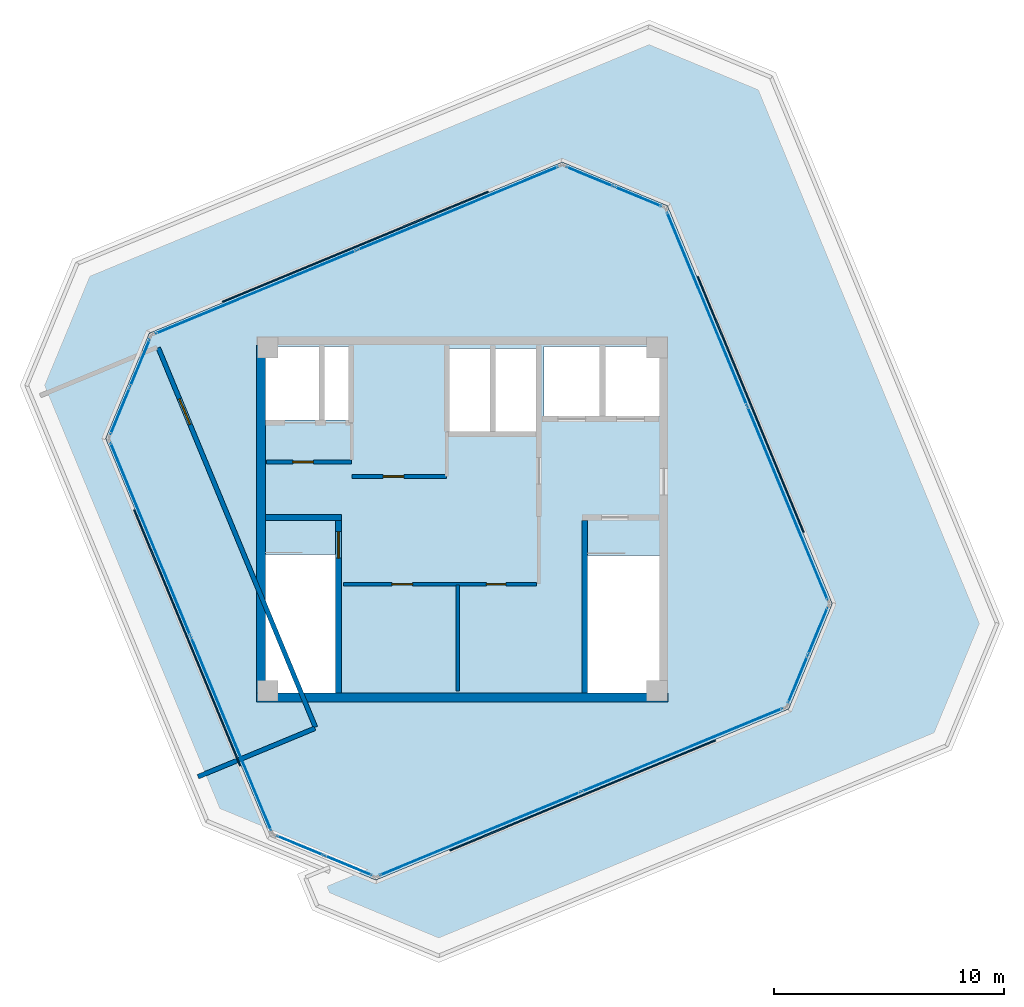
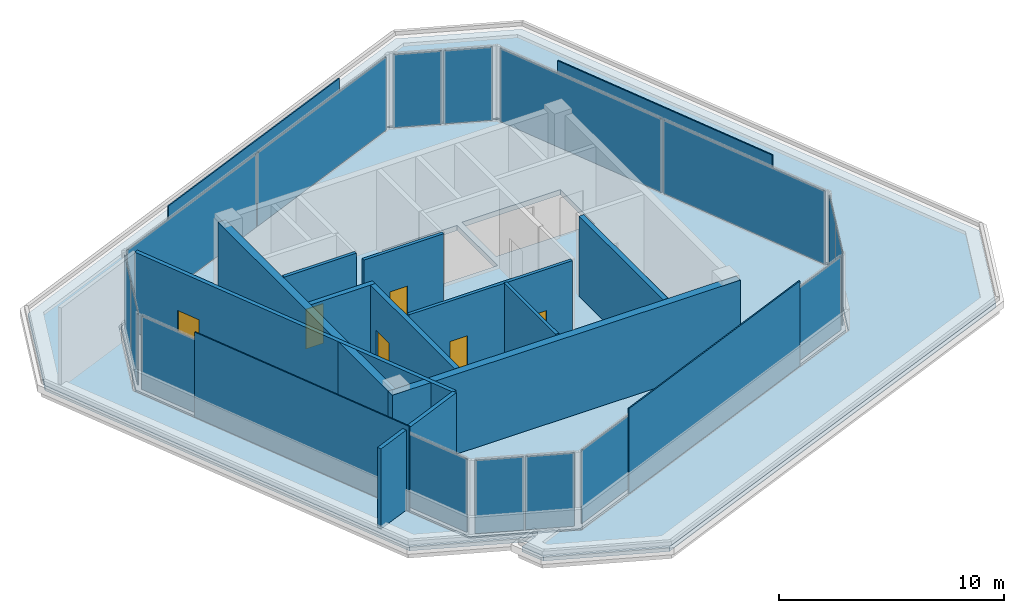
# One storey, part 9 of 11: 20 plates, 11 walls, 6 doors, 2 slabs, 6 openings, 8 elements without a shape of their own.
"""IFC4 building model written with IfcOpenShell, lengths in metres."""

from ifc_helpers import new_model, si_unit, direction, frame, frame_2d, origin, origin_2d, place, context, subcontext, project, spatial, polyline, rectangle, outline, extrude, source, transform, mapped, material, layer, layer_set, type_object, element, fill, aggregate, save


model = new_model("IFC4")

# Units and contexts
model_context = context("Model", 3, precision=1e-05, world=origin(), true_north=direction((0.0, 1.0)))
body_context = subcontext(model_context, "Body", "Model", "MODEL_VIEW")
ifc_project = project(units=[si_unit("LENGTHUNIT", "METRE"), si_unit("AREAUNIT", "SQUARE_METRE"), si_unit("VOLUMEUNIT", "CUBIC_METRE"), si_unit("PLANEANGLEUNIT", "RADIAN"), si_unit("MASSUNIT", "GRAM", prefix="KILO")], contexts=[model_context])

# Site, building, storey
site_placement = place(None, origin())
site = spatial("IfcSite", under=ifc_project, at=site_placement, CompositionType="ELEMENT")
building_placement = place(site_placement, origin())
building = spatial("IfcBuilding", under=site, at=building_placement, Name="Torre Montelarca", CompositionType="ELEMENT")
storey_placement = place(building_placement, frame((0.0, 0.0, 366.0)))
storey = spatial("IfcBuildingStorey", under=building, at=storey_placement, Name="L82", CompositionType="ELEMENT", Elevation=366.0)

# Slabs
ifc_material_1 = material(Name="Concrete C40/50", Category="concrete")
ifc_layer_1 = layer(ifc_material_1, 0.280029296875, Name="Concrete C40/50", Category="concrete")
ifc_layer_set_1 = layer_set([ifc_layer_1], Name="Concrete C40/50")
slab_type_1 = type_object("IfcSlabType", Name="SL-FLR-280", PredefinedType="FLOOR", material=ifc_layer_set_1)
slab_1_placement = place(storey_placement, frame((0.0, 0.0, -0.280029296875)))
element("IfcSlab", 1, at=slab_1_placement, inside=storey, type_object=slab_type_1, Name="L82 Structural Floor Slab", PredefinedType="FLOOR", context=body_context, shape_type="SweptSolid", body=[
    extrude(outline(polyline([(9.671142578125, 18.224609375), (14.244140625, 16.33056640625), (32.16748046875, 23.754638671875), (34.0615234375, 28.32763671875), (26.905517578125, 45.60400390625), (22.33251953125, 47.498291015625), (4.4091796875, 40.07421875), (2.514892578125, 35.501220703125), (9.671142578125, 18.224609375)]), holes=[polyline([(26.550048828125, 24.449951171875), (23.43994140625, 24.449951171875), (23.43994140625, 30.429931640625), (26.550048828125, 30.429931640625), (26.550048828125, 24.449951171875)]), polyline([(12.5, 24.449951171875), (9.449951171875, 24.449951171875), (9.449951171875, 30.4599609375), (12.5, 30.4599609375), (12.5, 24.449951171875)]), polyline([(21.25, 39.39990234375), (21.25, 35.800048828125), (17.39990234375, 35.800048828125), (17.39990234375, 39.39990234375), (21.25, 39.39990234375)]), polyline([(13.1201171875, 36.300048828125), (9.449951171875, 36.300048828125), (9.449951171875, 39.5), (13.1201171875, 39.5), (13.1201171875, 36.300048828125)]), polyline([(26.60009765625, 36.449951171875), (21.550048828125, 36.449951171875), (21.550048828125, 39.5), (26.60009765625, 39.5), (26.60009765625, 36.449951171875)])]), origin(), (0.0, 0.0, 1.0), 0.280029296875),
])
ifc_layer_2 = layer(ifc_material_1, 0.260009765625, Name="Concrete C40/50", Category="concrete")
ifc_layer_set_2 = layer_set([ifc_layer_2], Name="Concrete C40/50")
slab_type_2 = type_object("IfcSlabType", Name="SL-ROOF-260", PredefinedType="ROOF", material=ifc_layer_set_2)
slab_2_placement = place(storey_placement, frame((0.0, 0.0, -0.260009765625)))
element("IfcSlab", 2, at=slab_2_placement, inside=storey, type_object=slab_type_2, Name="L82 Observation Deck Wrapping Canopy Roof Slab 01", PredefinedType="ROOF", context=body_context, shape_type="SweptSolid", body=[
    extrude(outline(polyline([(-0.818603515625, 37.800537109375), (6.988037109375, 18.953369140625), (12.21435546875, 16.78857421875), (11.290283203125, 16.406005859375), (11.749755859375, 15.29736328125), (16.975830078125, 13.132568359375), (38.964111328125, 22.240478515625), (41.12890625, 27.466552734375), (31.332275390625, 51.117919921875), (26.106201171875, 53.28271484375), (1.34619140625, 43.02685546875), (-0.818603515625, 37.800537109375)]), holes=[polyline([(2.40673828125, 35.501220703125), (9.5947265625, 18.148193359375), (14.244140625, 16.222412109375), (32.243896484375, 23.677978515625), (34.169921875, 28.32763671875), (26.98193359375, 45.6806640625), (22.33251953125, 47.6064453125), (4.332763671875, 40.150634765625), (2.40673828125, 35.501220703125)])]), origin(), (0.0, 0.0, 1.0), 0.260009765625),
])

# Curtain wall, plates
ifc_material_2 = material(Name="Amber translucent laminated glass", Category="glass")
curtain_wall_type = type_object("IfcCurtainWallType", Name="CW-SYS-LANT", PredefinedType="USERDEFINED", material=ifc_material_2)
curtain_wall_1_placement = place(storey_placement, origin())
curtain_wall_1 = element("IfcCurtainWall", 3, at=curtain_wall_1_placement, inside=storey, type_object=curtain_wall_type, Name="L82 Curtain Wall Run CW-T3-L82-E01-B1", ObjectType="TRANSLUCENT LANTERN", PredefinedType="USERDEFINED")
ifc_layer_3 = layer(ifc_material_2, 0.0400390625, Name="Amber translucent laminated glass", Category="glass")
ifc_layer_set_3 = layer_set([ifc_layer_3], Name="Amber translucent laminated glass")
plate_type_1 = type_object("IfcPlateType", Name="CWP-LANT-40", PredefinedType="CURTAIN_PANEL", material=ifc_layer_set_3)
shared_shape_1 = source(origin(), body_context, "Body", "SweptSolid", [
    extrude(rectangle(XDim=9.064208984375, YDim=0.0400390625, at=origin_2d()), origin(), (0.0, 0.0, 1.0), 3.969970703125),
])
plate_1_placement = place(storey_placement, frame((4.463623046875, 31.13671875, 0.0751953125), z_axis=(0.0, 0.0, 1.0), x_axis=(0.382681314557, -0.923880409733, 0.0)))
plate_1 = element("IfcPlate", 4, at=plate_1_placement, type_object=plate_type_1, Name="CW panel 1.1", PredefinedType="CURTAIN_PANEL", context=body_context, shape_type="MappedRepresentation", body=[
    mapped(shared_shape_1, transform((0.0, 0.0, 0.0), scale=1.0)),
])
plate_2_placement = place(storey_placement, frame((7.962890625, 22.688720703125, 0.0751953125), z_axis=(0.0, 0.0, 1.0), x_axis=(0.382681314557, -0.923880409733, 0.0)))
plate_2 = element("IfcPlate", 5, at=plate_2_placement, type_object=plate_type_1, Name="CW panel 2.1", PredefinedType="CURTAIN_PANEL", context=body_context, shape_type="MappedRepresentation", body=[
    mapped(shared_shape_1, transform((0.0, 0.0, 0.0), scale=1.0)),
])
aggregate(curtain_wall_1, [plate_1, plate_2])

curtain_wall_2_placement = place(storey_placement, origin())
curtain_wall_2 = element("IfcCurtainWall", 6, at=curtain_wall_2_placement, inside=storey, type_object=curtain_wall_type, Name="L82 Curtain Wall Run CW-T3-L82-E05-B1", ObjectType="TRANSLUCENT LANTERN", PredefinedType="USERDEFINED")
plate_3_placement = place(storey_placement, frame((32.113037109375, 32.692138671875, 0.0751953125), z_axis=(0.0, 0.0, 1.0), x_axis=(-0.382683239352, 0.92387961246, 0.0)))
plate_3 = element("IfcPlate", 7, at=plate_3_placement, type_object=plate_type_1, Name="CW panel 1.1", PredefinedType="CURTAIN_PANEL", context=body_context, shape_type="MappedRepresentation", body=[
    mapped(shared_shape_1, transform((0.0, 0.0, 0.0), scale=1.0)),
])
plate_4_placement = place(storey_placement, frame((28.61376953125, 41.14013671875, 0.0751953125), z_axis=(0.0, 0.0, 1.0), x_axis=(-0.382683239352, 0.92387961246, 0.0)))
plate_4 = element("IfcPlate", 8, at=plate_4_placement, type_object=plate_type_1, Name="CW panel 2.1", PredefinedType="CURTAIN_PANEL", context=body_context, shape_type="MappedRepresentation", body=[
    mapped(shared_shape_1, transform((0.0, 0.0, 0.0), scale=1.0)),
])
aggregate(curtain_wall_2, [plate_3, plate_4])

# Plates
ifc_material_3 = material(Name="Architectural perforated terracotta ceramic", Category="masonry")
ifc_layer_4 = layer(ifc_material_3, 0.06005859375, Name="Architectural perforated terracotta ceramic", Category="masonry")
ifc_layer_set_4 = layer_set([ifc_layer_4], Name="Architectural perforated terracotta ceramic")
plate_type_2 = type_object("IfcPlateType", Name="SCR-CER-60", PredefinedType="USERDEFINED", material=ifc_layer_set_4)
shared_shape_2 = source(origin(), body_context, "Body", "SweptSolid", [
    extrude(rectangle(XDim=12.02490234375, YDim=0.06005859375, at=origin_2d()), origin(), (0.0, 0.0, 1.0), 4.60009765625),
])
for number, where, z_axis, x_axis, name in (
    (9, (6.05615234375, 26.84765625, 0.0), (0.0, 0.0, 1.0), (0.382683432365, -0.923879532511, 0.0), "L82 Crown Perforated Ceramic Solar Screen 1-1"),
    (10, (30.5205078125, 36.981201171875, 0.0), (0.0, 0.0, 1.0), (-0.382685044838, 0.923878864601, 0.0), "L82 Crown Perforated Ceramic Solar Screen 5-1"),
):
    element("IfcPlate", number, at=place(storey_placement, frame(where, z_axis=z_axis, x_axis=x_axis)), inside=storey, type_object=plate_type_2, Name=name, ObjectType="SOLAR SCREEN", PredefinedType="USERDEFINED", context=body_context, shape_type="MappedRepresentation", body=[
        mapped(shared_shape_2, transform((0.0, 0.0, 0.0), scale=1.0)),
    ])

# Curtain wall, plates
curtain_wall_3_placement = place(storey_placement, origin())
curtain_wall_3 = element("IfcCurtainWall", 11, at=curtain_wall_3_placement, inside=storey, type_object=curtain_wall_type, Name="L82 Curtain Wall Run CW-T3-L82-E02-B1", ObjectType="TRANSLUCENT LANTERN", PredefinedType="USERDEFINED")
shared_shape_3 = source(origin(), body_context, "Body", "SweptSolid", [
    extrude(rectangle(XDim=2.18896484375, YDim=0.0400390625, at=origin_2d()), origin(), (0.0, 0.0, 1.0), 3.969970703125),
])
plate_5_placement = place(storey_placement, frame((10.959228515625, 17.831787109375, 0.0751953125), z_axis=(0.0, 0.0, 1.0), x_axis=(0.923879589357, -0.382683295127, 0.0)))
plate_5 = element("IfcPlate", 12, at=plate_5_placement, type_object=plate_type_1, Name="CW panel 1.1", PredefinedType="CURTAIN_PANEL", context=body_context, shape_type="MappedRepresentation", body=[
    mapped(shared_shape_3, transform((0.0, 0.0, 0.0), scale=1.0)),
])
plate_6_placement = place(storey_placement, frame((13.055419921875, 16.963623046875, 0.0751953125), z_axis=(0.0, 0.0, 1.0), x_axis=(0.923879589357, -0.382683295127, 0.0)))
plate_6 = element("IfcPlate", 13, at=plate_6_placement, type_object=plate_type_1, Name="CW panel 2.1", PredefinedType="CURTAIN_PANEL", context=body_context, shape_type="MappedRepresentation", body=[
    mapped(shared_shape_3, transform((0.0, 0.0, 0.0), scale=1.0)),
])
aggregate(curtain_wall_3, [plate_5, plate_6])

curtain_wall_4_placement = place(storey_placement, origin())
curtain_wall_4 = element("IfcCurtainWall", 14, at=curtain_wall_4_placement, inside=storey, type_object=curtain_wall_type, Name="L82 Curtain Wall Run CW-T3-L82-E04-B1", ObjectType="TRANSLUCENT LANTERN", PredefinedType="USERDEFINED")
plate_7_placement = place(storey_placement, frame((32.560302734375, 25.042724609375, 0.0751953125), z_axis=(0.0, 0.0, 1.0), x_axis=(0.382675639152, 0.923882760527, 0.0)))
plate_7 = element("IfcPlate", 15, at=plate_7_placement, type_object=plate_type_1, Name="CW panel 1.1", PredefinedType="CURTAIN_PANEL", context=body_context, shape_type="MappedRepresentation", body=[
    mapped(shared_shape_3, transform((0.0, 0.0, 0.0), scale=1.0)),
])
plate_8_placement = place(storey_placement, frame((33.428466796875, 27.138916015625, 0.0751953125), z_axis=(0.0, 0.0, 1.0), x_axis=(0.382675639152, 0.923882760527, 0.0)))
plate_8 = element("IfcPlate", 16, at=plate_8_placement, type_object=plate_type_1, Name="CW panel 2.1", PredefinedType="CURTAIN_PANEL", context=body_context, shape_type="MappedRepresentation", body=[
    mapped(shared_shape_3, transform((0.0, 0.0, 0.0), scale=1.0)),
])
aggregate(curtain_wall_4, [plate_7, plate_8])

curtain_wall_5_placement = place(storey_placement, origin())
curtain_wall_5 = element("IfcCurtainWall", 17, at=curtain_wall_5_placement, inside=storey, type_object=curtain_wall_type, Name="L82 Curtain Wall Run CW-T3-L82-E06-B1", ObjectType="TRANSLUCENT LANTERN", PredefinedType="USERDEFINED")
plate_9_placement = place(storey_placement, frame((25.6171875, 45.9970703125, 0.0751953125), z_axis=(0.0, 0.0, 1.0), x_axis=(-0.923882760527, 0.382675639152, 0.0)))
plate_9 = element("IfcPlate", 18, at=plate_9_placement, type_object=plate_type_1, Name="CW panel 1.1", PredefinedType="CURTAIN_PANEL", context=body_context, shape_type="MappedRepresentation", body=[
    mapped(shared_shape_3, transform((0.0, 0.0, 0.0), scale=1.0)),
])
plate_10_placement = place(storey_placement, frame((23.52099609375, 46.865234375, 0.0751953125), z_axis=(0.0, 0.0, 1.0), x_axis=(-0.923882760527, 0.382675639152, 0.0)))
plate_10 = element("IfcPlate", 19, at=plate_10_placement, type_object=plate_type_1, Name="CW panel 2.1", PredefinedType="CURTAIN_PANEL", context=body_context, shape_type="MappedRepresentation", body=[
    mapped(shared_shape_3, transform((0.0, 0.0, 0.0), scale=1.0)),
])
aggregate(curtain_wall_5, [plate_9, plate_10])

curtain_wall_6_placement = place(storey_placement, origin())
curtain_wall_6 = element("IfcCurtainWall", 20, at=curtain_wall_6_placement, inside=storey, type_object=curtain_wall_type, Name="L82 Curtain Wall Run CW-T3-L82-E08-B1", ObjectType="TRANSLUCENT LANTERN", PredefinedType="USERDEFINED")
plate_11_placement = place(storey_placement, frame((4.016357421875, 38.7861328125, 0.0751953125), z_axis=(0.0, 0.0, 1.0), x_axis=(-0.382683295127, -0.923879589357, 0.0)))
plate_11 = element("IfcPlate", 21, at=plate_11_placement, type_object=plate_type_1, Name="CW panel 1.1", PredefinedType="CURTAIN_PANEL", context=body_context, shape_type="MappedRepresentation", body=[
    mapped(shared_shape_3, transform((0.0, 0.0, 0.0), scale=1.0)),
])
plate_12_placement = place(storey_placement, frame((3.14794921875, 36.68994140625, 0.0751953125), z_axis=(0.0, 0.0, 1.0), x_axis=(-0.382683295127, -0.923879589357, 0.0)))
plate_12 = element("IfcPlate", 22, at=plate_12_placement, type_object=plate_type_1, Name="CW panel 2.1", PredefinedType="CURTAIN_PANEL", context=body_context, shape_type="MappedRepresentation", body=[
    mapped(shared_shape_3, transform((0.0, 0.0, 0.0), scale=1.0)),
])
aggregate(curtain_wall_6, [plate_11, plate_12])

curtain_wall_7_placement = place(storey_placement, origin())
curtain_wall_7 = element("IfcCurtainWall", 23, at=curtain_wall_7_placement, inside=storey, type_object=curtain_wall_type, Name="L82 Curtain Wall Run CW-T3-L82-E03-B1", ObjectType="TRANSLUCENT LANTERN", PredefinedType="USERDEFINED")
shared_shape_4 = source(origin(), body_context, "Body", "SweptSolid", [
    extrude(rectangle(XDim=9.4140625, YDim=0.0400390625, at=origin_2d()), origin(), (0.0, 0.0, 1.0), 3.969970703125),
])
plate_13_placement = place(storey_placement, frame((18.770263671875, 18.345947265625, 0.0751953125), z_axis=(0.0, 0.0, 1.0), x_axis=(0.92387985672, 0.382682649654, 0.0)))
plate_13 = element("IfcPlate", 24, at=plate_13_placement, type_object=plate_type_1, Name="CW panel 1.1", PredefinedType="CURTAIN_PANEL", context=body_context, shape_type="MappedRepresentation", body=[
    mapped(shared_shape_4, transform((0.0, 0.0, 0.0), scale=1.0)),
])
plate_14_placement = place(storey_placement, frame((27.541748046875, 21.979248046875, 0.0751953125), z_axis=(0.0, 0.0, 1.0), x_axis=(0.92387985672, 0.382682649654, 0.0)))
plate_14 = element("IfcPlate", 25, at=plate_14_placement, type_object=plate_type_1, Name="CW panel 2.1", PredefinedType="CURTAIN_PANEL", context=body_context, shape_type="MappedRepresentation", body=[
    mapped(shared_shape_4, transform((0.0, 0.0, 0.0), scale=1.0)),
])
aggregate(curtain_wall_7, [plate_13, plate_14])

curtain_wall_8_placement = place(storey_placement, origin())
curtain_wall_8 = element("IfcCurtainWall", 26, at=curtain_wall_8_placement, inside=storey, type_object=curtain_wall_type, Name="L82 Curtain Wall Run CW-T3-L82-E07-B1", ObjectType="TRANSLUCENT LANTERN", PredefinedType="USERDEFINED")
plate_15_placement = place(storey_placement, frame((17.80615234375, 45.482666015625, 0.0751953125), z_axis=(0.0, 0.0, 1.0), x_axis=(-0.923879088705, -0.382684503805, 0.0)))
plate_15 = element("IfcPlate", 27, at=plate_15_placement, type_object=plate_type_1, Name="CW panel 1.1", PredefinedType="CURTAIN_PANEL", context=body_context, shape_type="MappedRepresentation", body=[
    mapped(shared_shape_4, transform((0.0, 0.0, 0.0), scale=1.0)),
])
plate_16_placement = place(storey_placement, frame((9.034912109375, 41.849609375, 0.0751953125), z_axis=(0.0, 0.0, 1.0), x_axis=(-0.923879088705, -0.382684503805, 0.0)))
plate_16 = element("IfcPlate", 28, at=plate_16_placement, type_object=plate_type_1, Name="CW panel 2.1", PredefinedType="CURTAIN_PANEL", context=body_context, shape_type="MappedRepresentation", body=[
    mapped(shared_shape_4, transform((0.0, 0.0, 0.0), scale=1.0)),
])
aggregate(curtain_wall_8, [plate_15, plate_16])

# Plates
shared_shape_5 = source(origin(), body_context, "Body", "SweptSolid", [
    extrude(rectangle(XDim=12.47998046875, YDim=0.06005859375, at=origin_2d()), origin(), (0.0, 0.0, 1.0), 4.60009765625),
])
for number, where, z_axis, x_axis, name in (
    (29, (23.220947265625, 20.005615234375, 0.0), (0.0, 0.0, 1.0), (0.923878864601, 0.382685044838, 0.0), "L82 Crown Perforated Ceramic Solar Screen 3-1"),
    (30, (13.35546875, 43.8232421875, 0.0), (0.0, 0.0, 1.0), (-0.923878196688, -0.382686657311, 0.0), "L82 Crown Perforated Ceramic Solar Screen 7-1"),
):
    element("IfcPlate", number, at=place(storey_placement, frame(where, z_axis=z_axis, x_axis=x_axis)), inside=storey, type_object=plate_type_2, Name=name, ObjectType="SOLAR SCREEN", PredefinedType="USERDEFINED", context=body_context, shape_type="MappedRepresentation", body=[
        mapped(shared_shape_5, transform((0.0, 0.0, 0.0), scale=1.0)),
    ])

# Wall, opening, door
ifc_layer_5 = layer(ifc_material_1, 0.25, Name="Concrete C40/50", Category="concrete")
ifc_layer_set_5 = layer_set([ifc_layer_5], Name="Concrete C40/50")
wall_type_1 = type_object("IfcWallType", Name="CW-SHAFT-250", PredefinedType="SHEAR", material=ifc_layer_set_5)
wall_1_placement = place(storey_placement, frame((12.625, 24.4599609375, 0.0), z_axis=(0.0, 0.0, 1.0), x_axis=(0.0, 1.0, 0.0)))
wall_1 = element("IfcWall", 31, at=wall_1_placement, inside=storey, type_object=wall_type_1, Name="L82 Core Shear Wall SH-ST1-E", PredefinedType="SHEAR", context=body_context, shape_type="SweptSolid", body=[
    extrude(rectangle(XDim=7.489990234375, YDim=0.25, at=frame_2d((3.7451171875, 0.0))), origin(), (0.0, 0.0, 1.0), 4.340087890625),
])
opening_1_placement = place(wall_1_placement, frame((5.85009765625, 0.0, 0.0)))
opening_1 = element("IfcOpeningElement", 32, at=opening_1_placement, cuts=wall_1, Name="Opening FD-ST1", PredefinedType="OPENING", context=body_context, shape_type="SweptSolid", body=[
    extrude(rectangle(XDim=1.14990234375, YDim=2.199951171875, at=frame_2d((0.574951171875, 1.10009765625))), frame((0.0, 0.135009765625, 0.0), z_axis=(0.0, -1.0, 0.0), x_axis=(1.0, 0.0, 0.0)), (0.0, 0.0, 1.0), 0.27001953125),
])
ifc_material_4 = material(Name="Galvanized steel fire door", Category="steel")
door_type_1 = type_object("IfcDoorType", Name="DR-STAIR-115", OperationType="NOTDEFINED", PredefinedType="DOOR", material=ifc_material_4)
shared_shape_6 = source(origin(), body_context, "Body", "SweptSolid", [
    extrude(rectangle(XDim=1.14990234375, YDim=2.199951171875, at=frame_2d((0.574951171875, 1.10009765625))), frame((0.0, 0.02490234375, 0.0), z_axis=(0.0, -1.0, 0.0), x_axis=(1.0, 0.0, 0.0)), (0.0, 0.0, 1.0), 0.050048828125),
])
door_1_placement = place(opening_1_placement, origin())
door_1 = element("IfcDoor", 33, at=door_1_placement, inside=storey, type_object=door_type_1, Name="L82 Exit Stair ST1 Fire Door", OperationType="SINGLE_SWING_RIGHT", OverallHeight=2.199951171875, OverallWidth=1.14990234375, PredefinedType="DOOR", context=body_context, shape_type="MappedRepresentation", body=[
    mapped(shared_shape_6, transform((0.0, 0.0, 0.0), scale=1.0)),
])
fill(opening_1, door_1)

# Walls
wall_2_placement = place(storey_placement, frame((9.4599609375, 32.074951171875, 0.0), z_axis=(0.0, 0.0, 1.0), x_axis=(1.0, 0.0, 0.0)))
element("IfcWall", 34, at=wall_2_placement, inside=storey, type_object=wall_type_1, Name="L82 Core Shear Wall SH-ST1-N", PredefinedType="SHEAR", context=body_context, shape_type="SweptSolid", body=[
    extrude(rectangle(XDim=3.2900390625, YDim=0.25, at=frame_2d((1.64501953125, 0.0))), origin(), (0.0, 0.0, 1.0), 4.340087890625),
])
wall_3_placement = place(storey_placement, frame((23.31494140625, 24.4599609375, 0.0), z_axis=(0.0, 0.0, 1.0), x_axis=(0.0, 1.0, 0.0)))
element("IfcWall", 35, at=wall_3_placement, inside=storey, type_object=wall_type_1, Name="L82 Core Shear Wall SH-ST2-W", PredefinedType="SHEAR", context=body_context, shape_type="SweptSolid", body=[
    extrude(rectangle(XDim=7.489990234375, YDim=0.25, at=frame_2d((3.7451171875, 0.0))), origin(), (0.0, 0.0, 1.0), 4.340087890625),
])
ifc_layer_6 = layer(ifc_material_1, 0.3798828125, Name="Concrete C40/50", Category="concrete")
ifc_layer_set_6 = layer_set([ifc_layer_6], Name="Concrete C40/50")
wall_type_2 = type_object("IfcWallType", Name="CW-SHEAR-380", PredefinedType="SHEAR", material=ifc_layer_set_6)
wall_4_placement = place(storey_placement, frame((9.260009765625, 24.449951171875, 0.0), z_axis=(0.0, 0.0, 1.0), x_axis=(0.0, 1.0, 0.0)))
element("IfcWall", 36, at=wall_4_placement, inside=storey, type_object=wall_type_2, Name="L82 Core Shear Wall CW-W", PredefinedType="SHEAR", context=body_context, shape_type="SweptSolid", body=[
    extrude(rectangle(XDim=15.10009765625, YDim=0.3798828125, at=frame_2d((7.550048828125, 0.0))), origin(), (0.0, 0.0, 1.0), 4.340087890625),
])
wall_5_placement = place(storey_placement, frame((9.070068359375, 24.260009765625, 0.0), z_axis=(0.0, 0.0, 1.0), x_axis=(1.0, 0.0, 0.0)))
element("IfcWall", 37, at=wall_5_placement, inside=storey, type_object=wall_type_2, Name="L82 Core Shear Wall CW-S1", PredefinedType="SHEAR", context=body_context, shape_type="SweptSolid", body=[
    extrude(rectangle(XDim=17.85986328125, YDim=0.3798828125, at=frame_2d((8.929931640625, 0.0))), origin(), (0.0, 0.0, 1.0), 4.340087890625),
])

# Wall, opening, door
ifc_material_5 = material(Name="Gypsum plasterboard on steel stud", Category="steel")
ifc_layer_7 = layer(ifc_material_5, 0.159912109375, Name="Gypsum plasterboard on steel stud", Category="steel")
ifc_layer_set_7 = layer_set([ifc_layer_7], Name="Gypsum plasterboard on steel stud")
wall_type_3 = type_object("IfcWallType", Name="PW-FIRE-160", PredefinedType="PARTITIONING", material=ifc_layer_set_7)
wall_6_placement = place(storey_placement, frame((9.489990234375, 34.47998046875, 0.0), z_axis=(0.0, 0.0, 1.0), x_axis=(1.0, 0.0, 0.0)))
wall_6 = element("IfcWall", 38, at=wall_6_placement, inside=storey, type_object=wall_type_3, Name="L82 Interior Partition CW-L82-SVS", PredefinedType="PARTITIONING", context=body_context, shape_type="SweptSolid", body=[
    extrude(rectangle(XDim=3.699951171875, YDim=0.159912109375, at=frame_2d((1.85009765625, 0.0))), origin(), (0.0, 0.0, 1.0), 4.340087890625),
])
opening_2_placement = place(wall_6_placement, frame((1.14990234375, 0.0, 0.0)))
opening_2 = element("IfcOpeningElement", 39, at=opening_2_placement, cuts=wall_6, Name="Opening FD-090", PredefinedType="OPENING", context=body_context, shape_type="SweptSolid", body=[
    extrude(rectangle(XDim=0.89990234375, YDim=2.14990234375, at=frame_2d((0.449951171875, 1.074951171875))), frame((0.0, 0.08984375, 0.0), z_axis=(0.0, -1.0, 0.0), x_axis=(1.0, 0.0, 0.0)), (0.0, 0.0, 1.0), 0.179931640625),
])
ifc_material_6 = material(Name="Steel service fire door", Category="steel")
door_type_2 = type_object("IfcDoorType", Name="DR-FIRE-090", OperationType="NOTDEFINED", PredefinedType="DOOR", material=ifc_material_6)
shared_shape_7 = source(origin(), body_context, "Body", "SweptSolid", [
    extrude(rectangle(XDim=0.89990234375, YDim=2.14990234375, at=frame_2d((0.449951171875, 1.074951171875))), frame((0.0, 0.02490234375, 0.0), z_axis=(0.0, -1.0, 0.0), x_axis=(1.0, 0.0, 0.0)), (0.0, 0.0, 1.0), 0.050048828125),
])
door_2_placement = place(opening_2_placement, origin())
door_2 = element("IfcDoor", 40, at=door_2_placement, inside=storey, type_object=door_type_2, Name="L82 Interior Door 01", OperationType="SINGLE_SWING_RIGHT", OverallHeight=2.14990234375, OverallWidth=0.89990234375, PredefinedType="DOOR", context=body_context, shape_type="MappedRepresentation", body=[
    mapped(shared_shape_7, transform((0.0, 0.0, 0.0), scale=1.0)),
])
fill(opening_2, door_2)

wall_7_placement = place(storey_placement, frame((13.2099609375, 33.85009765625, 0.0), z_axis=(0.0, 0.0, 1.0), x_axis=(1.0, 0.0, 0.0)))
wall_7 = element("IfcWall", 41, at=wall_7_placement, inside=storey, type_object=wall_type_3, Name="L82 Interior Partition CW-L82-FRMS", PredefinedType="PARTITIONING", context=body_context, shape_type="SweptSolid", body=[
    extrude(rectangle(XDim=4.10009765625, YDim=0.159912109375, at=frame_2d((2.050048828125, 0.0))), origin(), (0.0, 0.0, 1.0), 4.340087890625),
])
opening_3_placement = place(wall_7_placement, frame((1.35009765625, 0.0, 0.0)))
opening_3 = element("IfcOpeningElement", 42, at=opening_3_placement, cuts=wall_7, Name="Opening FD-090", PredefinedType="OPENING", context=body_context, shape_type="SweptSolid", body=[
    extrude(rectangle(XDim=0.89990234375, YDim=2.14990234375, at=frame_2d((0.449951171875, 1.074951171875))), frame((0.0, 0.08984375, 0.0), z_axis=(0.0, -1.0, 0.0), x_axis=(1.0, 0.0, 0.0)), (0.0, 0.0, 1.0), 0.179931640625),
])
door_3_placement = place(opening_3_placement, origin())
door_3 = element("IfcDoor", 43, at=door_3_placement, inside=storey, type_object=door_type_2, Name="L82 Interior Door 02", OperationType="SINGLE_SWING_LEFT", OverallHeight=2.14990234375, OverallWidth=0.89990234375, PredefinedType="DOOR", context=body_context, shape_type="MappedRepresentation", body=[
    mapped(shared_shape_7, transform((0.0, 0.0, 0.0), scale=1.0)),
])
fill(opening_3, door_3)

# Wall, openings, doors
wall_8_placement = place(storey_placement, frame((12.840087890625, 29.179931640625, 0.0), z_axis=(0.0, 0.0, 1.0), x_axis=(1.0, 0.0, 0.0)))
wall_8 = element("IfcWall", 44, at=wall_8_placement, inside=storey, type_object=wall_type_3, Name="L82 Interior Partition CW-L82-FRDN", PredefinedType="PARTITIONING", context=body_context, shape_type="SweptSolid", body=[
    extrude(rectangle(XDim=8.369873046875, YDim=0.159912109375, at=frame_2d((4.18505859375, 0.0))), origin(), (0.0, 0.0, 1.0), 4.340087890625),
])
opening_4_placement = place(wall_8_placement, frame((2.10009765625, 0.0, 0.0)))
opening_4 = element("IfcOpeningElement", 45, at=opening_4_placement, cuts=wall_8, Name="Opening FD-090", PredefinedType="OPENING", context=body_context, shape_type="SweptSolid", body=[
    extrude(rectangle(XDim=0.89990234375, YDim=2.14990234375, at=frame_2d((0.449951171875, 1.074951171875))), frame((0.0, 0.08984375, 0.0), z_axis=(0.0, -1.0, 0.0), x_axis=(1.0, 0.0, 0.0)), (0.0, 0.0, 1.0), 0.179931640625),
])
opening_5_placement = place(wall_8_placement, frame((6.199951171875, 0.0, 0.0)))
opening_5 = element("IfcOpeningElement", 46, at=opening_5_placement, cuts=wall_8, Name="Opening FD-085", PredefinedType="OPENING", context=body_context, shape_type="SweptSolid", body=[
    extrude(rectangle(XDim=0.85009765625, YDim=2.10009765625, at=frame_2d((0.425048828125, 1.050048828125))), frame((0.0, 0.08984375, 0.0), z_axis=(0.0, -1.0, 0.0), x_axis=(1.0, 0.0, 0.0)), (0.0, 0.0, 1.0), 0.179931640625),
])
ifc_material_7 = material(Name="Steel riser access fire door", Category="steel")
door_type_3 = type_object("IfcDoorType", Name="DR-RISER-085", OperationType="NOTDEFINED", PredefinedType="DOOR", material=ifc_material_7)
shared_shape_8 = source(origin(), body_context, "Body", "SweptSolid", [
    extrude(rectangle(XDim=0.85009765625, YDim=2.10009765625, at=frame_2d((0.425048828125, 1.050048828125))), frame((0.0, 0.02490234375, 0.0), z_axis=(0.0, -1.0, 0.0), x_axis=(1.0, 0.0, 0.0)), (0.0, 0.0, 1.0), 0.050048828125),
])
door_4_placement = place(opening_5_placement, origin())
door_4 = element("IfcDoor", 47, at=door_4_placement, inside=storey, type_object=door_type_3, Name="L82 Interior Door 04", OperationType="SINGLE_SWING_LEFT", OverallHeight=2.10009765625, OverallWidth=0.85009765625, PredefinedType="DOOR", context=body_context, shape_type="MappedRepresentation", body=[
    mapped(shared_shape_8, transform((0.0, 0.0, 0.0), scale=1.0)),
])
fill(opening_5, door_4)
door_5_placement = place(opening_4_placement, origin())
door_5 = element("IfcDoor", 48, at=door_5_placement, inside=storey, type_object=door_type_2, Name="L82 Interior Door 03", OperationType="SINGLE_SWING_RIGHT", OverallHeight=2.14990234375, OverallWidth=0.89990234375, PredefinedType="DOOR", context=body_context, shape_type="MappedRepresentation", body=[
    mapped(shared_shape_7, transform((0.0, 0.0, 0.0), scale=1.0)),
])
fill(opening_4, door_5)

# Wall
wall_9_placement = place(storey_placement, frame((17.800048828125, 24.5400390625, 0.0), z_axis=(0.0, 0.0, 1.0), x_axis=(0.0, 1.0, 0.0)))
element("IfcWall", 49, at=wall_9_placement, inside=storey, type_object=wall_type_3, Name="L82 Interior Partition CW-L82-FRD1", PredefinedType="PARTITIONING", context=body_context, shape_type="SweptSolid", body=[
    extrude(rectangle(XDim=4.599853515625, YDim=0.159912109375, at=frame_2d((2.2998046875, 0.0))), origin(), (0.0, 0.0, 1.0), 4.340087890625),
])

# Wall, opening, door
ifc_material_8 = material(Name="Gypsum fireboard and rockwool on steel stud", Category="steel")
ifc_layer_8 = layer(ifc_material_8, 0.199951171875, Name="Gypsum fireboard and rockwool on steel stud", Category="steel")
ifc_layer_set_8 = layer_set([ifc_layer_8], Name="Gypsum fireboard and rockwool on steel stud")
wall_type_4 = type_object("IfcWallType", Name="PW-FIRE-200", PredefinedType="SOLIDWALL", material=ifc_layer_set_8)
wall_10_placement = place(storey_placement, frame((4.80322265625, 39.436279296875, 0.0), z_axis=(0.0, 0.0, 1.0), x_axis=(0.382682527649, -0.923879907256, 0.0)))
wall_10 = element("IfcWall", 50, at=wall_10_placement, inside=storey, type_object=wall_type_4, Name="L82 Interior Partition W-L82-LMRN", PredefinedType="SOLIDWALL", context=body_context, shape_type="SweptSolid", body=[
    extrude(rectangle(XDim=17.81982421875, YDim=0.199951171875, at=frame_2d((8.909912109375, 0.0))), origin(), (0.0, 0.0, 1.0), 4.340087890625),
])
opening_6_placement = place(wall_10_placement, frame((2.39990234375, 0.0, 0.0)))
opening_6 = element("IfcOpeningElement", 51, at=opening_6_placement, cuts=wall_10, Name="Opening FD-120", PredefinedType="OPENING", context=body_context, shape_type="SweptSolid", body=[
    extrude(rectangle(XDim=1.199951171875, YDim=2.199951171875, at=frame_2d((0.60009765625, 1.10009765625))), frame((0.0, 0.10986328125, 0.0), z_axis=(0.0, -1.0, 0.0), x_axis=(1.0, 0.0, 0.0)), (0.0, 0.0, 1.0), 0.219970703125),
])
door_type_4 = type_object("IfcDoorType", Name="DR-FIRE-120", OperationType="NOTDEFINED", PredefinedType="DOOR", material=ifc_material_4)
shared_shape_9 = source(origin(), body_context, "Body", "SweptSolid", [
    extrude(rectangle(XDim=1.199951171875, YDim=2.199951171875, at=frame_2d((0.60009765625, 1.10009765625))), frame((0.0, 0.02490234375, 0.0), z_axis=(0.0, -1.0, 0.0), x_axis=(1.0, 0.0, 0.0)), (0.0, 0.0, 1.0), 0.050048828125),
])
door_6_placement = place(opening_6_placement, origin())
door_6 = element("IfcDoor", 52, at=door_6_placement, inside=storey, type_object=door_type_4, Name="L82 Interior Door 05", OperationType="SINGLE_SWING_LEFT", OverallHeight=2.199951171875, OverallWidth=1.199951171875, PredefinedType="DOOR", context=body_context, shape_type="MappedRepresentation", body=[
    mapped(shared_shape_9, transform((0.0, 0.0, 0.0), scale=1.0)),
])
fill(opening_6, door_6)

# Wall
wall_11_placement = place(storey_placement, frame((6.52880859375, 20.819580078125, 0.0), z_axis=(0.0, 0.0, 1.0), x_axis=(0.923868318109, 0.382710505206, 0.0)))
element("IfcWall", 53, at=wall_11_placement, inside=storey, type_object=wall_type_4, Name="L82 Interior Partition W-L82-LMRE", PredefinedType="SOLIDWALL", context=body_context, shape_type="SweptSolid", body=[
    extrude(rectangle(XDim=5.489990234375, YDim=0.199951171875, at=frame_2d((2.7451171875, 0.0))), origin(), (0.0, 0.0, 1.0), 4.340087890625),
])

save(model, "model.ifc")
